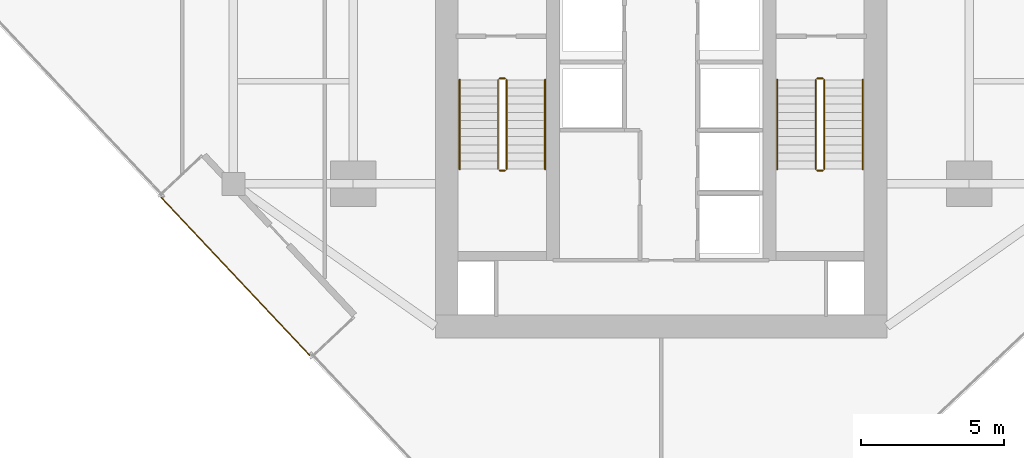
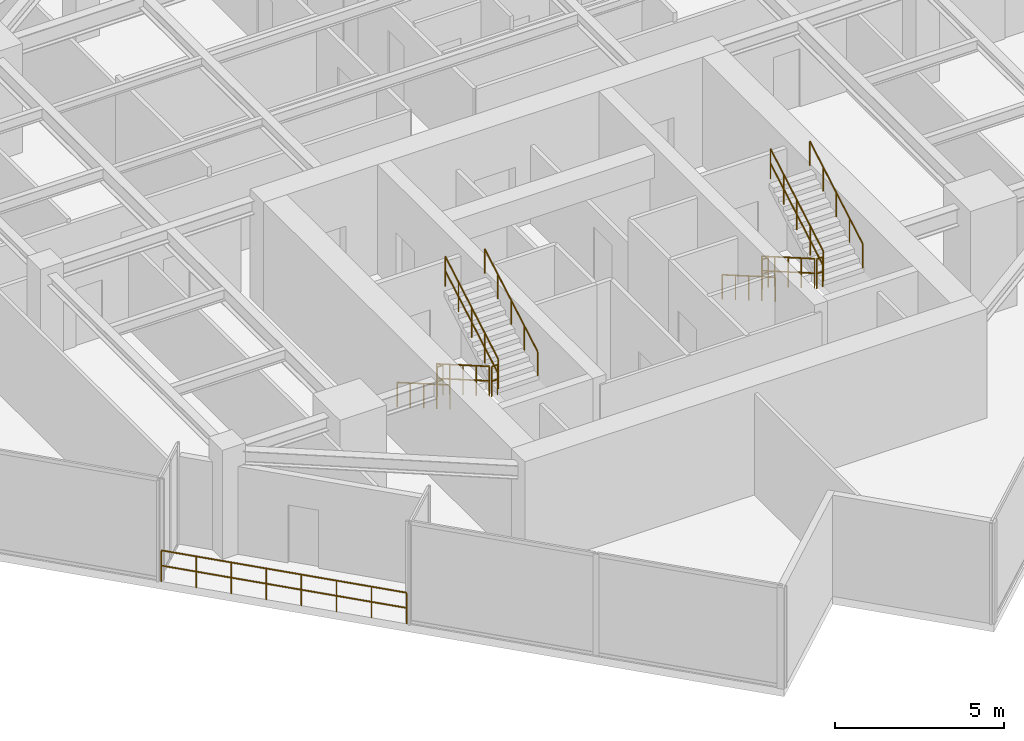
# One storey, part 23 of 24: 13 railings.
"""IFC4 building model written with IfcOpenShell, lengths in metres."""

from ifc_helpers import new_model, si_unit, direction, frame, origin, origin_2d, place, context, subcontext, project, spatial, circle, extrude, material, layer, layer_set, type_object, element, save


model = new_model("IFC4")

# Units and contexts
model_context = context("Model", 3, precision=1e-05, world=origin(), true_north=direction((0.0, 1.0)))
body_context = subcontext(model_context, "Body", "Model", "MODEL_VIEW")
ifc_project = project(units=[si_unit("LENGTHUNIT", "METRE"), si_unit("AREAUNIT", "SQUARE_METRE"), si_unit("VOLUMEUNIT", "CUBIC_METRE"), si_unit("PLANEANGLEUNIT", "RADIAN"), si_unit("MASSUNIT", "GRAM", prefix="KILO")], contexts=[model_context])

# Site, building, storey
site_placement = place(None, origin())
site = spatial("IfcSite", under=ifc_project, at=site_placement, CompositionType="ELEMENT")
building_placement = place(site_placement, origin())
building = spatial("IfcBuilding", under=site, at=building_placement, Name="Krantzveldt Concourse Tower", CompositionType="ELEMENT")
storey_placement = place(building_placement, frame((0.0, 0.0, 242.85009765625)))
storey = spatial("IfcBuildingStorey", under=building, at=storey_placement, Name="L59", CompositionType="ELEMENT", Elevation=242.85009765625)

# Railings
ifc_material = material(Name="Stainless steel 316L", Category="steel")
ifc_layer_1 = layer(ifc_material, 0.080078125, Name="Stainless steel 316L", Category="steel")
ifc_layer_set_1 = layer_set([ifc_layer_1], Name="Stainless steel 316L (RL-BALUSTRADE-1150)")
railing_type_1 = type_object("IfcRailingType", Name="RL-BALUSTRADE-1150", PredefinedType="BALUSTRADE", material=ifc_layer_set_1)
railing_1_placement = place(storey_placement, frame((23.672119140625, 9.885986328125, 0.0)))
element("IfcRailing", 1, at=railing_1_placement, inside=storey, type_object=railing_type_1, Name="GD-L59-CTER-01", PredefinedType="BALUSTRADE", context=body_context, shape_type="SweptSolid", body=[
    extrude(circle(Radius=0.02392578125, at=origin_2d()), frame((0.0, 0.0, 1.1259765625), z_axis=(-0.685190329327, 0.728364065971, 0.0), x_axis=(-0.728364065971, -0.685190329327, 0.0)), (0.0, 0.0, 1.0), 7.60009765625),
    extrude(circle(Radius=0.02392578125, at=origin_2d()), frame((0.0, 0.0, 0.574951171875), z_axis=(-0.685190329327, 0.728364065971, 0.0), x_axis=(-0.728364065971, -0.685190329327, 0.0)), (0.0, 0.0, 1.0), 7.60009765625),
    extrude(circle(Radius=0.02099609375, at=origin_2d()), origin(), (0.0, 0.0, 1.0), 1.101806640625),
    extrude(circle(Radius=0.02099609375, at=origin_2d()), frame((-0.743896484375, 0.790771484375, 0.0)), (0.0, 0.0, 1.0), 1.101806640625),
    extrude(circle(Radius=0.02099609375, at=origin_2d()), frame((-1.48779296875, 1.58154296875, 0.0)), (0.0, 0.0, 1.0), 1.101806640625),
    extrude(circle(Radius=0.02099609375, at=origin_2d()), frame((-2.231689453125, 2.372314453125, 0.0)), (0.0, 0.0, 1.0), 1.101806640625),
    extrude(circle(Radius=0.02099609375, at=origin_2d()), frame((-2.975830078125, 3.163330078125, 0.0)), (0.0, 0.0, 1.0), 1.101806640625),
    extrude(circle(Radius=0.02099609375, at=origin_2d()), frame((-3.7197265625, 3.9541015625, 0.0)), (0.0, 0.0, 1.0), 1.101806640625),
    extrude(circle(Radius=0.02099609375, at=origin_2d()), frame((-4.463623046875, 4.744873046875, 0.0)), (0.0, 0.0, 1.0), 1.101806640625),
    extrude(circle(Radius=0.02099609375, at=origin_2d()), frame((-5.20751953125, 5.53564453125, 0.0)), (0.0, 0.0, 1.0), 1.101806640625),
])
ifc_layer_2 = layer(ifc_material, 0.06005859375, Name="Stainless steel 316L", Category="steel")
ifc_layer_set_2 = layer_set([ifc_layer_2], Name="Stainless steel 316L (RL-GUARD-1120)")
railing_type_2 = type_object("IfcRailingType", Name="RL-GUARD-1120", PredefinedType="GUARDRAIL", material=ifc_layer_set_2)
railing_2_placement = place(storey_placement, frame((30.280029296875, 19.550048828125, 0.16455078125)))
element("IfcRailing", 2, at=railing_2_placement, inside=storey, type_object=railing_type_2, Name="L59 ST-1 stair guard 1", PredefinedType="GUARDRAIL", context=body_context, shape_type="SweptSolid", body=[
    extrude(circle(Radius=0.02392578125, at=origin_2d()), frame((0.0, 0.0, 1.076171875), z_axis=(0.0, -0.865989039225, 0.500062979975), x_axis=(1.0, 0.0, 0.0)), (0.0, 0.0, 1.0), 3.6201171875),
    extrude(circle(Radius=0.02392578125, at=origin_2d()), frame((0.0, 0.0, 0.550048828125), z_axis=(0.0, -0.865989039225, 0.500062979975), x_axis=(1.0, 0.0, 0.0)), (0.0, 0.0, 1.0), 3.6201171875),
    extrude(circle(Radius=0.02099609375, at=origin_2d()), origin(), (0.0, 0.0, 1.0), 1.052001953125),
    extrude(circle(Radius=0.02099609375, at=origin_2d()), frame((0.0, -0.78369140625, 0.45263671875)), (0.0, 0.0, 1.0), 1.052001953125),
    extrude(circle(Radius=0.02099609375, at=origin_2d()), frame((0.0, -1.5673828125, 0.9052734375)), (0.0, 0.0, 1.0), 1.052001953125),
    extrude(circle(Radius=0.02099609375, at=origin_2d()), frame((0.0, -2.351318359375, 1.357666015625)), (0.0, 0.0, 1.0), 1.052001953125),
    extrude(circle(Radius=0.02099609375, at=origin_2d()), frame((0.0, -3.135009765625, 1.810302734375)), (0.0, 0.0, 1.0), 1.052001953125),
])
railing_3_placement = place(storey_placement, frame((30.330078125, 16.364990234375, 1.974853515625)))
element("IfcRailing", 3, at=railing_3_placement, inside=storey, type_object=railing_type_2, Name="L59 ST-1 stair guard 2", PredefinedType="GUARDRAIL", context=body_context, shape_type="SweptSolid", body=[
    extrude(circle(Radius=0.02392578125, at=origin_2d()), frame((0.0, 0.0, 1.076171875), z_axis=(1.0, 0.0, 0.0), x_axis=(0.0, 1.0, 0.0)), (0.0, 0.0, 1.0), 0.199951171875),
    extrude(circle(Radius=0.02392578125, at=origin_2d()), frame((0.0, 0.0, 0.550048828125), z_axis=(1.0, 0.0, 0.0), x_axis=(0.0, 1.0, 0.0)), (0.0, 0.0, 1.0), 0.199951171875),
    extrude(circle(Radius=0.02099609375, at=origin_2d()), origin(), (0.0, 0.0, 1.0), 1.052001953125),
    extrude(circle(Radius=0.02099609375, at=origin_2d()), frame((0.199951171875, 0.0, 0.0)), (0.0, 0.0, 1.0), 1.052001953125),
])
railing_4_placement = place(storey_placement, frame((30.580078125, 16.4150390625, 2.139404296875)))
element("IfcRailing", 4, at=railing_4_placement, inside=storey, type_object=railing_type_2, Name="L59 ST-1 stair guard 3", PredefinedType="GUARDRAIL", context=body_context, shape_type="SweptSolid", body=[
    extrude(circle(Radius=0.02392578125, at=origin_2d()), frame((0.0, 0.0, 1.076171875), z_axis=(0.0, 0.865959834175, 0.500113552702), x_axis=(-1.0, 0.0, 0.0)), (0.0, 0.0, 1.0), 3.620361328125),
    extrude(circle(Radius=0.02392578125, at=origin_2d()), frame((0.0, 0.0, 0.550048828125), z_axis=(0.0, 0.865959834175, 0.500113552702), x_axis=(-1.0, 0.0, 0.0)), (0.0, 0.0, 1.0), 3.620361328125),
    extrude(circle(Radius=0.02099609375, at=origin_2d()), origin(), (0.0, 0.0, 1.0), 1.052001953125),
    extrude(circle(Radius=0.02099609375, at=origin_2d()), frame((0.0, 0.78369140625, 0.45263671875)), (0.0, 0.0, 1.0), 1.052001953125),
    extrude(circle(Radius=0.02099609375, at=origin_2d()), frame((0.0, 1.5673828125, 0.9052734375)), (0.0, 0.0, 1.0), 1.052001953125),
    extrude(circle(Radius=0.02099609375, at=origin_2d()), frame((0.0, 2.351318359375, 1.35791015625)), (0.0, 0.0, 1.0), 1.052001953125),
    extrude(circle(Radius=0.02099609375, at=origin_2d()), frame((0.0, 3.135009765625, 1.810546875)), (0.0, 0.0, 1.0), 1.052001953125),
])
railing_5_placement = place(storey_placement, frame((30.330078125, 19.60009765625, 0.0)))
element("IfcRailing", 5, at=railing_5_placement, inside=storey, type_object=railing_type_2, Name="L59 ST-1 stair guard 4", PredefinedType="GUARDRAIL", context=body_context, shape_type="SweptSolid", body=[
    extrude(circle(Radius=0.02392578125, at=origin_2d()), frame((0.0, 0.0, 1.076171875), z_axis=(1.0, 0.0, 0.0), x_axis=(0.0, 1.0, 0.0)), (0.0, 0.0, 1.0), 0.199951171875),
    extrude(circle(Radius=0.02392578125, at=origin_2d()), frame((0.0, 0.0, 0.550048828125), z_axis=(1.0, 0.0, 0.0), x_axis=(0.0, 1.0, 0.0)), (0.0, 0.0, 1.0), 0.199951171875),
    extrude(circle(Radius=0.02099609375, at=origin_2d()), origin(), (0.0, 0.0, 1.0), 1.052001953125),
    extrude(circle(Radius=0.02099609375, at=origin_2d()), frame((0.199951171875, 0.0, 0.0)), (0.0, 0.0, 1.0), 1.052001953125),
])
railing_6_placement = place(storey_placement, frame((41.419921875, 19.550048828125, 0.16455078125)))
element("IfcRailing", 6, at=railing_6_placement, inside=storey, type_object=railing_type_2, Name="L59 ST-2 stair guard 1", PredefinedType="GUARDRAIL", context=body_context, shape_type="SweptSolid", body=[
    extrude(circle(Radius=0.02392578125, at=origin_2d()), frame((0.0, 0.0, 1.076171875), z_axis=(0.0, -0.865989039225, 0.500062979975), x_axis=(1.0, 0.0, 0.0)), (0.0, 0.0, 1.0), 3.6201171875),
    extrude(circle(Radius=0.02392578125, at=origin_2d()), frame((0.0, 0.0, 0.550048828125), z_axis=(0.0, -0.865989039225, 0.500062979975), x_axis=(1.0, 0.0, 0.0)), (0.0, 0.0, 1.0), 3.6201171875),
    extrude(circle(Radius=0.02099609375, at=origin_2d()), origin(), (0.0, 0.0, 1.0), 1.052001953125),
    extrude(circle(Radius=0.02099609375, at=origin_2d()), frame((0.0, -0.78369140625, 0.45263671875)), (0.0, 0.0, 1.0), 1.052001953125),
    extrude(circle(Radius=0.02099609375, at=origin_2d()), frame((0.0, -1.5673828125, 0.9052734375)), (0.0, 0.0, 1.0), 1.052001953125),
    extrude(circle(Radius=0.02099609375, at=origin_2d()), frame((0.0, -2.351318359375, 1.357666015625)), (0.0, 0.0, 1.0), 1.052001953125),
    extrude(circle(Radius=0.02099609375, at=origin_2d()), frame((0.0, -3.135009765625, 1.810302734375)), (0.0, 0.0, 1.0), 1.052001953125),
])
railing_7_placement = place(storey_placement, frame((41.469970703125, 16.364990234375, 1.974853515625)))
element("IfcRailing", 7, at=railing_7_placement, inside=storey, type_object=railing_type_2, Name="L59 ST-2 stair guard 2", PredefinedType="GUARDRAIL", context=body_context, shape_type="SweptSolid", body=[
    extrude(circle(Radius=0.02392578125, at=origin_2d()), frame((0.0, 0.0, 1.076171875), z_axis=(1.0, 0.0, 0.0), x_axis=(0.0, 1.0, 0.0)), (0.0, 0.0, 1.0), 0.199951171875),
    extrude(circle(Radius=0.02392578125, at=origin_2d()), frame((0.0, 0.0, 0.550048828125), z_axis=(1.0, 0.0, 0.0), x_axis=(0.0, 1.0, 0.0)), (0.0, 0.0, 1.0), 0.199951171875),
    extrude(circle(Radius=0.02099609375, at=origin_2d()), origin(), (0.0, 0.0, 1.0), 1.052001953125),
    extrude(circle(Radius=0.02099609375, at=origin_2d()), frame((0.199951171875, 0.0, 0.0)), (0.0, 0.0, 1.0), 1.052001953125),
])
railing_8_placement = place(storey_placement, frame((41.719970703125, 16.4150390625, 2.139404296875)))
element("IfcRailing", 8, at=railing_8_placement, inside=storey, type_object=railing_type_2, Name="L59 ST-2 stair guard 3", PredefinedType="GUARDRAIL", context=body_context, shape_type="SweptSolid", body=[
    extrude(circle(Radius=0.02392578125, at=origin_2d()), frame((0.0, 0.0, 1.076171875), z_axis=(0.0, 0.865959834175, 0.500113552702), x_axis=(-1.0, 0.0, 0.0)), (0.0, 0.0, 1.0), 3.620361328125),
    extrude(circle(Radius=0.02392578125, at=origin_2d()), frame((0.0, 0.0, 0.550048828125), z_axis=(0.0, 0.865959834175, 0.500113552702), x_axis=(-1.0, 0.0, 0.0)), (0.0, 0.0, 1.0), 3.620361328125),
    extrude(circle(Radius=0.02099609375, at=origin_2d()), origin(), (0.0, 0.0, 1.0), 1.052001953125),
    extrude(circle(Radius=0.02099609375, at=origin_2d()), frame((0.0, 0.78369140625, 0.45263671875)), (0.0, 0.0, 1.0), 1.052001953125),
    extrude(circle(Radius=0.02099609375, at=origin_2d()), frame((0.0, 1.5673828125, 0.9052734375)), (0.0, 0.0, 1.0), 1.052001953125),
    extrude(circle(Radius=0.02099609375, at=origin_2d()), frame((0.0, 2.351318359375, 1.35791015625)), (0.0, 0.0, 1.0), 1.052001953125),
    extrude(circle(Radius=0.02099609375, at=origin_2d()), frame((0.0, 3.135009765625, 1.810546875)), (0.0, 0.0, 1.0), 1.052001953125),
])
railing_9_placement = place(storey_placement, frame((41.469970703125, 19.60009765625, 0.0)))
element("IfcRailing", 9, at=railing_9_placement, inside=storey, type_object=railing_type_2, Name="L59 ST-2 stair guard 4", PredefinedType="GUARDRAIL", context=body_context, shape_type="SweptSolid", body=[
    extrude(circle(Radius=0.02392578125, at=origin_2d()), frame((0.0, 0.0, 1.076171875), z_axis=(1.0, 0.0, 0.0), x_axis=(0.0, 1.0, 0.0)), (0.0, 0.0, 1.0), 0.199951171875),
    extrude(circle(Radius=0.02392578125, at=origin_2d()), frame((0.0, 0.0, 0.550048828125), z_axis=(1.0, 0.0, 0.0), x_axis=(0.0, 1.0, 0.0)), (0.0, 0.0, 1.0), 0.199951171875),
    extrude(circle(Radius=0.02099609375, at=origin_2d()), origin(), (0.0, 0.0, 1.0), 1.052001953125),
    extrude(circle(Radius=0.02099609375, at=origin_2d()), frame((0.199951171875, 0.0, 0.0)), (0.0, 0.0, 1.0), 1.052001953125),
])
ifc_layer_3 = layer(ifc_material, 0.050048828125, Name="Stainless steel 316L", Category="steel")
ifc_layer_set_3 = layer_set([ifc_layer_3], Name="Stainless steel 316L (RL-HANDRAIL-920)")
railing_type_3 = type_object("IfcRailingType", Name="RL-HANDRAIL-920", PredefinedType="HANDRAIL", material=ifc_layer_set_3)
railing_10_placement = place(storey_placement, frame((28.929931640625, 19.550048828125, 0.16455078125)))
element("IfcRailing", 10, at=railing_10_placement, inside=storey, type_object=railing_type_3, Name="L59 ST-1 stair handrail 1", PredefinedType="HANDRAIL", context=body_context, shape_type="SweptSolid", body=[
    extrude(circle(Radius=0.02392578125, at=origin_2d()), frame((0.0, 0.0, 0.8759765625), z_axis=(0.0, -0.865989039225, 0.500062979975), x_axis=(1.0, 0.0, 0.0)), (0.0, 0.0, 1.0), 3.6201171875),
    extrude(circle(Radius=0.02099609375, at=origin_2d()), origin(), (0.0, 0.0, 1.0), 0.851806640625),
    extrude(circle(Radius=0.02099609375, at=origin_2d()), frame((0.0, -0.78369140625, 0.45263671875)), (0.0, 0.0, 1.0), 0.851806640625),
    extrude(circle(Radius=0.02099609375, at=origin_2d()), frame((0.0, -1.5673828125, 0.9052734375)), (0.0, 0.0, 1.0), 0.851806640625),
    extrude(circle(Radius=0.02099609375, at=origin_2d()), frame((0.0, -2.351318359375, 1.357666015625)), (0.0, 0.0, 1.0), 0.851806640625),
    extrude(circle(Radius=0.02099609375, at=origin_2d()), frame((0.0, -3.135009765625, 1.810302734375)), (0.0, 0.0, 1.0), 0.851806640625),
])
railing_11_placement = place(storey_placement, frame((31.929931640625, 16.4150390625, 2.139404296875)))
element("IfcRailing", 11, at=railing_11_placement, inside=storey, type_object=railing_type_3, Name="L59 ST-1 stair handrail 2", PredefinedType="HANDRAIL", context=body_context, shape_type="SweptSolid", body=[
    extrude(circle(Radius=0.02392578125, at=origin_2d()), frame((0.0, 0.0, 0.8759765625), z_axis=(0.0, 0.865959834175, 0.500113552702), x_axis=(-1.0, 0.0, 0.0)), (0.0, 0.0, 1.0), 3.620361328125),
    extrude(circle(Radius=0.02099609375, at=origin_2d()), origin(), (0.0, 0.0, 1.0), 0.851806640625),
    extrude(circle(Radius=0.02099609375, at=origin_2d()), frame((0.0, 0.78369140625, 0.45263671875)), (0.0, 0.0, 1.0), 0.851806640625),
    extrude(circle(Radius=0.02099609375, at=origin_2d()), frame((0.0, 1.5673828125, 0.9052734375)), (0.0, 0.0, 1.0), 0.851806640625),
    extrude(circle(Radius=0.02099609375, at=origin_2d()), frame((0.0, 2.351318359375, 1.35791015625)), (0.0, 0.0, 1.0), 0.851806640625),
    extrude(circle(Radius=0.02099609375, at=origin_2d()), frame((0.0, 3.135009765625, 1.810546875)), (0.0, 0.0, 1.0), 0.851806640625),
])
railing_12_placement = place(storey_placement, frame((40.070068359375, 19.550048828125, 0.16455078125)))
element("IfcRailing", 12, at=railing_12_placement, inside=storey, type_object=railing_type_3, Name="L59 ST-2 stair handrail 1", PredefinedType="HANDRAIL", context=body_context, shape_type="SweptSolid", body=[
    extrude(circle(Radius=0.02392578125, at=origin_2d()), frame((0.0, 0.0, 0.8759765625), z_axis=(0.0, -0.865989039225, 0.500062979975), x_axis=(1.0, 0.0, 0.0)), (0.0, 0.0, 1.0), 3.6201171875),
    extrude(circle(Radius=0.02099609375, at=origin_2d()), origin(), (0.0, 0.0, 1.0), 0.851806640625),
    extrude(circle(Radius=0.02099609375, at=origin_2d()), frame((0.0, -0.78369140625, 0.45263671875)), (0.0, 0.0, 1.0), 0.851806640625),
    extrude(circle(Radius=0.02099609375, at=origin_2d()), frame((0.0, -1.5673828125, 0.9052734375)), (0.0, 0.0, 1.0), 0.851806640625),
    extrude(circle(Radius=0.02099609375, at=origin_2d()), frame((0.0, -2.351318359375, 1.357666015625)), (0.0, 0.0, 1.0), 0.851806640625),
    extrude(circle(Radius=0.02099609375, at=origin_2d()), frame((0.0, -3.135009765625, 1.810302734375)), (0.0, 0.0, 1.0), 0.851806640625),
])
railing_13_placement = place(storey_placement, frame((43.070068359375, 16.4150390625, 2.139404296875)))
element("IfcRailing", 13, at=railing_13_placement, inside=storey, type_object=railing_type_3, Name="L59 ST-2 stair handrail 2", PredefinedType="HANDRAIL", context=body_context, shape_type="SweptSolid", body=[
    extrude(circle(Radius=0.02392578125, at=origin_2d()), frame((0.0, 0.0, 0.8759765625), z_axis=(0.0, 0.865959834175, 0.500113552702), x_axis=(-1.0, 0.0, 0.0)), (0.0, 0.0, 1.0), 3.620361328125),
    extrude(circle(Radius=0.02099609375, at=origin_2d()), origin(), (0.0, 0.0, 1.0), 0.851806640625),
    extrude(circle(Radius=0.02099609375, at=origin_2d()), frame((0.0, 0.78369140625, 0.45263671875)), (0.0, 0.0, 1.0), 0.851806640625),
    extrude(circle(Radius=0.02099609375, at=origin_2d()), frame((0.0, 1.5673828125, 0.9052734375)), (0.0, 0.0, 1.0), 0.851806640625),
    extrude(circle(Radius=0.02099609375, at=origin_2d()), frame((0.0, 2.351318359375, 1.35791015625)), (0.0, 0.0, 1.0), 0.851806640625),
    extrude(circle(Radius=0.02099609375, at=origin_2d()), frame((0.0, 3.135009765625, 1.810546875)), (0.0, 0.0, 1.0), 0.851806640625),
])

save(model, "model.ifc")
